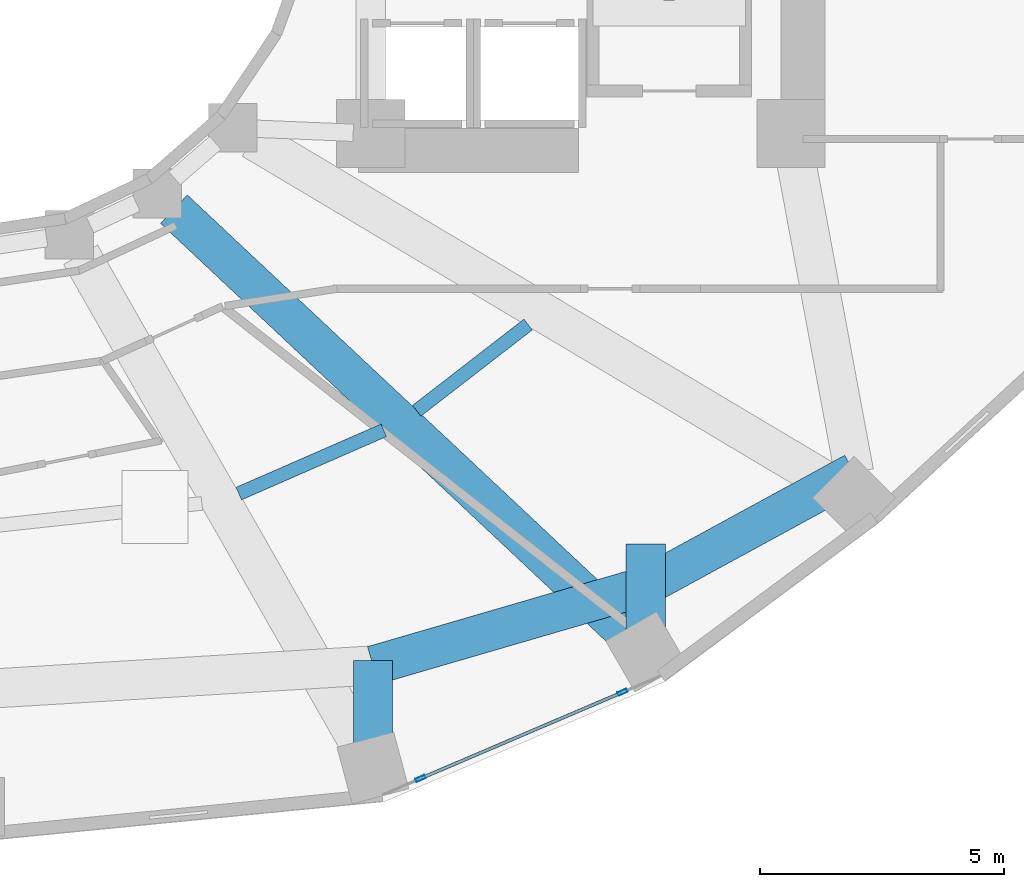
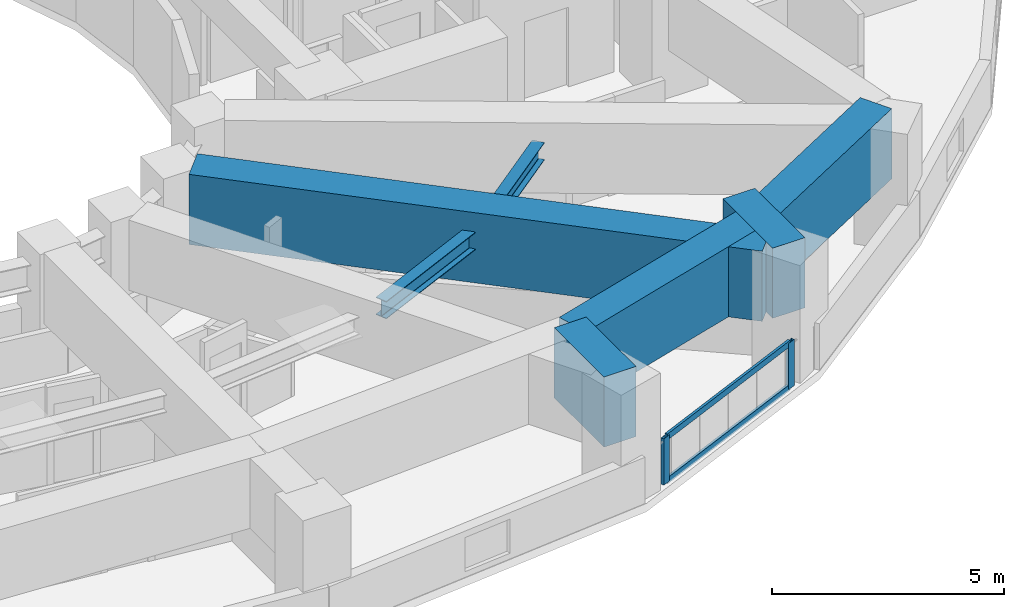
# One storey, part 4 of 16: 7 beams, 4 members, 1 element without a shape of its own.
"""IFC4 building model written with IfcOpenShell, lengths in metres."""

from ifc_helpers import new_model, si_unit, direction, frame, origin, origin_2d, place, context, subcontext, project, spatial, rectangle, hollow_rectangle, i_section, extrude, material, layer, layer_set, material_profile, profile_set, type_object, element, aggregate, save


model = new_model("IFC4")

# Units and contexts
model_context = context("Model", 3, precision=1e-05, world=origin(), true_north=direction((0.0, 1.0)))
body_context = subcontext(model_context, "Body", "Model", "MODEL_VIEW")
ifc_project = project(units=[si_unit("LENGTHUNIT", "METRE"), si_unit("AREAUNIT", "SQUARE_METRE"), si_unit("VOLUMEUNIT", "CUBIC_METRE"), si_unit("PLANEANGLEUNIT", "RADIAN"), si_unit("MASSUNIT", "GRAM", prefix="KILO")], contexts=[model_context])

# Site, building, storey
site_placement = place(None, origin())
site = spatial("IfcSite", under=ifc_project, at=site_placement, CompositionType="ELEMENT")
building_placement = place(site_placement, origin())
building = spatial("IfcBuilding", under=site, at=building_placement, Name="Solvane Sanctuary Tower", CompositionType="ELEMENT")
storey_placement = place(building_placement, frame((0.0, 0.0, 33.800048828125)))
storey = spatial("IfcBuildingStorey", under=building, at=storey_placement, Name="L09", CompositionType="ELEMENT", Elevation=33.800048828125)

# Beams
ifc_material_1 = material(Name="Steel ASTM A992 Grade 50", Category="steel")
ifc_material_profile_1 = material_profile(ifc_material_1, i_section(OverallWidth=0.280029296875, OverallDepth=0.462890625, WebThickness=0.0107421875, FlangeThickness=0.017333984375, FilletRadius=0.013916015625, at=origin_2d()), Name="W18X76")
ifc_profile_set_1 = profile_set([ifc_material_profile_1], Name="Steel ASTM A992 Grade 50")
beam_type_1 = type_object("IfcBeamType", Name="Beam B-SEC-JOIST W18X76", PredefinedType="JOIST", material=ifc_profile_set_1)
beam_1_placement = place(storey_placement, frame((37.39990234375, 9.530517578125, 2.366455078125), z_axis=(0.916364894528, 0.400344077111, 0.0), x_axis=(-0.400344077111, 0.916364894528, 0.0)))
element("IfcBeam", 1, at=beam_1_placement, inside=storey, type_object=beam_type_1, Name="L09 Secondary Circumferential Joist 12-13", PredefinedType="JOIST", context=body_context, shape_type="SweptSolid", body=[
    extrude(i_section(OverallWidth=0.280029296875, OverallDepth=0.462890625, WebThickness=0.0107421875, FlangeThickness=0.017333984375, FilletRadius=0.013916015625, at=origin_2d()), origin(), (0.0, 0.0, 1.0), 3.237548828125),
])
beam_2_placement = place(storey_placement, frame((41.041015625, 11.226318359375, 2.366455078125), z_axis=(0.790895585788, 0.611951119274, 0.0), x_axis=(-0.611951119274, 0.790895585788, 0.0)))
element("IfcBeam", 2, at=beam_2_placement, inside=storey, type_object=beam_type_1, Name="L09 Secondary Circumferential Joist 13-14", PredefinedType="JOIST", context=body_context, shape_type="SweptSolid", body=[
    extrude(i_section(OverallWidth=0.280029296875, OverallDepth=0.462890625, WebThickness=0.0107421875, FlangeThickness=0.017333984375, FilletRadius=0.013916015625, at=origin_2d()), origin(), (0.0, 0.0, 1.0), 2.8828125),
])
ifc_material_2 = material(Name="Concrete C70/85", Category="concrete")
ifc_material_profile_2 = material_profile(ifc_material_2, rectangle(XDim=0.800048828125, YDim=1.85009765625, at=origin_2d()), Name="RC800X1850")
ifc_profile_set_2 = profile_set([ifc_material_profile_2], Name="Concrete C70/85")
beam_type_2 = type_object("IfcBeamType", Name="Beam B-XFER-BLK RC800X1850", PredefinedType="BEAM", material=ifc_profile_set_2)
beam_3_placement = place(storey_placement, frame((40.14501953125, 3.96630859375, 2.175048828125), z_axis=(0.0, 1.0, 0.0), x_axis=(-1.0, 0.0, 0.0)))
element("IfcBeam", 3, at=beam_3_placement, inside=storey, type_object=beam_type_2, Name="L09 Block-Shift Transfer Tie 12B", PredefinedType="BEAM", context=body_context, shape_type="SweptSolid", body=[
    extrude(rectangle(XDim=0.800048828125, YDim=1.85009765625, at=origin_2d()), origin(), (0.0, 0.0, 1.0), 2.14990234375),
])
beam_4_placement = place(storey_placement, frame((36.07275390625, 15.351806640625, 2.175048828125), z_axis=(0.729350984505, -0.684139708979, 0.0), x_axis=(0.684139708979, 0.729350984505, 0.0)))
element("IfcBeam", 4, at=beam_4_placement, inside=storey, type_object=beam_type_2, Name="L09 Block-Shift Radial Transfer Girder 13A", PredefinedType="BEAM", context=body_context, shape_type="SweptSolid", body=[
    extrude(rectangle(XDim=0.800048828125, YDim=1.85009765625, at=origin_2d()), origin(), (0.0, 0.0, 1.0), 12.717041015625),
])
beam_5_placement = place(storey_placement, frame((45.727294921875, 6.345947265625, 2.175048828125), z_axis=(0.0, 1.0, 0.0), x_axis=(-1.0, 0.0, 0.0)))
element("IfcBeam", 5, at=beam_5_placement, inside=storey, type_object=beam_type_2, Name="L09 Block-Shift Transfer Tie 13B", PredefinedType="BEAM", context=body_context, shape_type="SweptSolid", body=[
    extrude(rectangle(XDim=0.800048828125, YDim=1.85009765625, at=origin_2d()), origin(), (0.0, 0.0, 1.0), 2.14990234375),
])
beam_6_placement = place(storey_placement, frame((40.14501953125, 6.014404296875, 2.175048828125), z_axis=(0.960089774527, 0.279692017849, 0.0), x_axis=(-0.279692017849, 0.960089774527, 0.0)))
element("IfcBeam", 6, at=beam_6_placement, inside=storey, type_object=beam_type_2, Name="L09 Perimeter Step Transfer Ring NTC12-NTC13", PredefinedType="BEAM", context=body_context, shape_type="SweptSolid", body=[
    extrude(rectangle(XDim=0.800048828125, YDim=1.85009765625, at=origin_2d()), origin(), (0.0, 0.0, 1.0), 5.814208984375),
])
beam_7_placement = place(storey_placement, frame((45.727294921875, 7.640625, 2.175048828125), z_axis=(0.878074180076, 0.478524538853, 0.0), x_axis=(-0.478524538853, 0.878074180076, 0.0)))
element("IfcBeam", 7, at=beam_7_placement, inside=storey, type_object=beam_type_2, Name="L09 Perimeter Step Transfer Ring NTC13-NTC14", PredefinedType="BEAM", context=body_context, shape_type="SweptSolid", body=[
    extrude(rectangle(XDim=0.800048828125, YDim=1.85009765625, at=origin_2d()), origin(), (0.0, 0.0, 1.0), 4.8564453125),
])

# Curtain wall, members
ifc_material_3 = material(Name="Anodised Aluminium 6063-T6", Category="aluminium")
ifc_layer = layer(ifc_material_3, 0.169921875, Name="Anodised Aluminium 6063-T6")
ifc_layer_set = layer_set([ifc_layer], Name="Anodised Aluminium 6063-T6")
curtain_wall_type = type_object("IfcCurtainWallType", Name="Curtain Wall CW-FRIT-Z1", PredefinedType="NOTDEFINED", material=ifc_layer_set)
curtain_wall_placement = place(storey_placement, origin())
curtain_wall = element("IfcCurtainWall", 8, at=curtain_wall_placement, inside=storey, type_object=curtain_wall_type, Name="L09 CW-FRIT-Z1 Facade Run 19", PredefinedType="NOTDEFINED")
ifc_material_profile_3 = material_profile(ifc_material_3, hollow_rectangle(XDim=0.074951171875, YDim=0.199951171875, WallThickness=0.00390625, at=origin_2d()), Name="ALU200X75X4")
ifc_profile_set_3 = profile_set([ifc_material_profile_3], Name="Anodised Aluminium 6063-T6")
member_type_1 = type_object("IfcMemberType", Name="Member M-CW-MUL-1 ALU200X75X4", PredefinedType="MULLION", material=ifc_profile_set_3)
member_1_placement = place(storey_placement, frame((41.120361328125, 3.70068359375, 0.0), z_axis=(0.0, 0.0, 1.0), x_axis=(-0.392820282466, 0.919615259597, 0.0)))
member_1 = element("IfcMember", 9, at=member_1_placement, type_object=member_type_1, Name="CW-FRIT-Z1 mullion 1", PredefinedType="MULLION", context=body_context, shape_type="SweptSolid", body=[
    extrude(hollow_rectangle(XDim=0.074951171875, YDim=0.199951171875, WallThickness=0.00390625, at=origin_2d()), origin(), (0.0, 0.0, 1.0), 1.219970703125),
])
member_2_placement = place(storey_placement, frame((45.25341796875, 5.466064453125, 0.0), z_axis=(0.0, 0.0, 1.0), x_axis=(-0.392820282466, 0.919615259597, 0.0)))
member_2 = element("IfcMember", 10, at=member_2_placement, type_object=member_type_1, Name="CW-FRIT-Z1 mullion 2", PredefinedType="MULLION", context=body_context, shape_type="SweptSolid", body=[
    extrude(hollow_rectangle(XDim=0.074951171875, YDim=0.199951171875, WallThickness=0.00390625, at=origin_2d()), origin(), (0.0, 0.0, 1.0), 1.219970703125),
])
ifc_material_profile_4 = material_profile(ifc_material_3, hollow_rectangle(XDim=0.06494140625, YDim=0.159912109375, WallThickness=0.00341796875, at=origin_2d()), Name="ALU160X65X3.5")
ifc_profile_set_4 = profile_set([ifc_material_profile_4], Name="Anodised Aluminium 6063-T6")
member_type_2 = type_object("IfcMemberType", Name="Member M-CW-TRN-1 ALU160X65X3.5", PredefinedType="USERDEFINED", material=ifc_profile_set_4)
member_3_placement = place(storey_placement, frame((41.15478515625, 3.71533203125, 0.032470703125), z_axis=(0.919612983912, 0.392825609935, 0.0), x_axis=(-0.392825609935, 0.919612983912, 0.0)))
member_3 = element("IfcMember", 11, at=member_3_placement, type_object=member_type_2, Name="CW-FRIT-Z1 transom 1.1", ObjectType="TRANSOM", PredefinedType="USERDEFINED", context=body_context, shape_type="SweptSolid", body=[
    extrude(hollow_rectangle(XDim=0.06494140625, YDim=0.159912109375, WallThickness=0.00341796875, at=origin_2d()), origin(), (0.0, 0.0, 1.0), 4.41943359375),
])
member_4_placement = place(storey_placement, frame((41.15478515625, 3.71533203125, 1.1875), z_axis=(0.919612983912, 0.392825609935, 0.0), x_axis=(-0.392825609935, 0.919612983912, 0.0)))
member_4 = element("IfcMember", 12, at=member_4_placement, type_object=member_type_2, Name="CW-FRIT-Z1 transom 1.2", ObjectType="TRANSOM", PredefinedType="USERDEFINED", context=body_context, shape_type="SweptSolid", body=[
    extrude(hollow_rectangle(XDim=0.06494140625, YDim=0.159912109375, WallThickness=0.00341796875, at=origin_2d()), origin(), (0.0, 0.0, 1.0), 4.41943359375),
])
aggregate(curtain_wall, [member_1, member_2, member_3, member_4])

save(model, "model.ifc")
